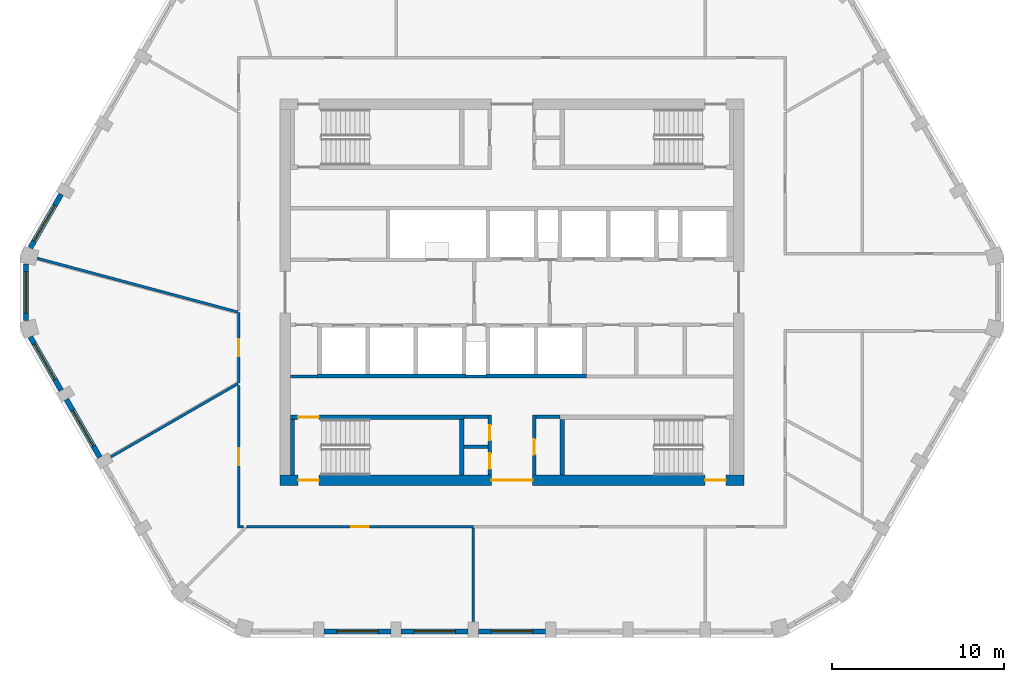
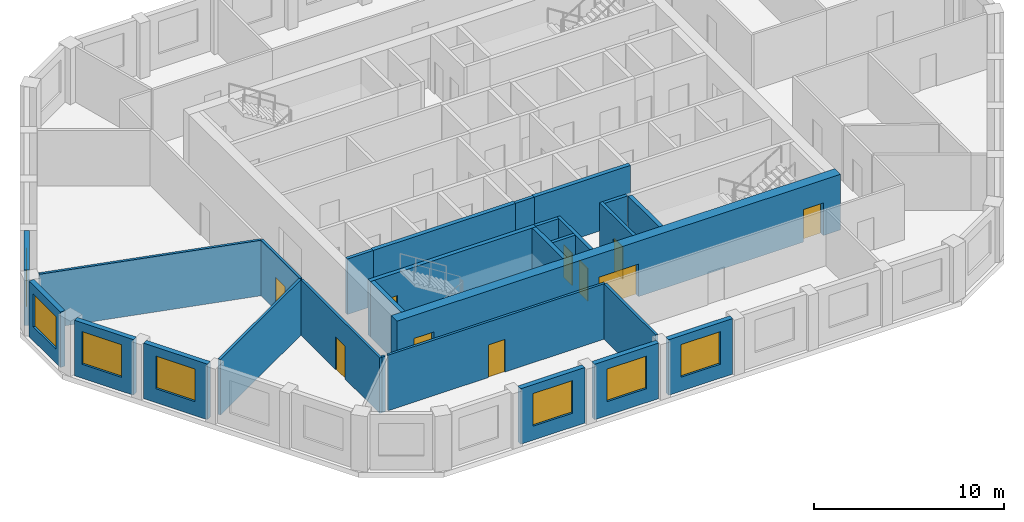
# One storey, part 2 of 9: 28 walls, 10 doors, 7 windows, 17 openings.
"""IFC4 building model written with IfcOpenShell, lengths in metres."""

from ifc_helpers import new_model, si_unit, direction, frame, frame_2d, origin, place, context, subcontext, project, spatial, polyline, rectangle, outline, extrude, material, layer, layer_set, type_object, element, fill, save


model = new_model("IFC4")

# Units and contexts
model_context = context("Model", 3, precision=1e-05, world=origin(), true_north=direction((0.0, 1.0)))
body_context = subcontext(model_context, "Body", "Model", "MODEL_VIEW")
ifc_project = project(units=[si_unit("LENGTHUNIT", "METRE"), si_unit("AREAUNIT", "SQUARE_METRE"), si_unit("VOLUMEUNIT", "CUBIC_METRE"), si_unit("PLANEANGLEUNIT", "RADIAN"), si_unit("MASSUNIT", "GRAM", prefix="KILO")], contexts=[model_context])

# Site, building, storey
site_placement = place(None, origin())
site = spatial("IfcSite", under=ifc_project, at=site_placement, CompositionType="ELEMENT")
building_placement = place(site_placement, origin())
building = spatial("IfcBuilding", under=site, at=building_placement, Name="Dhurran Vertical Campus", CompositionType="ELEMENT")
storey_placement = place(building_placement, frame((0.0, 0.0, 294.300048828125)))
storey = spatial("IfcBuildingStorey", under=building, at=storey_placement, Name="L73", CompositionType="ELEMENT", Elevation=294.300048828125)

# Wall, opening, window
ifc_material_1 = material(Name="Precast concrete C50/60", Category="concrete")
ifc_layer_1 = layer(ifc_material_1, 0.300048828125)
ifc_layer_set_1 = layer_set([ifc_layer_1], Name="Precast concrete C50/60")
wall_type_1 = type_object("IfcWallType", Name="Precast spandrel wall 300", PredefinedType="SOLIDWALL", material=ifc_layer_set_1)
wall_1_placement = place(storey_placement, frame((-10.949462890625, -19.738525390625, 0.0), z_axis=(0.0, 0.0, 1.0), x_axis=(1.0, 0.0, 0.0)))
wall_1 = element("IfcWall", 1, at=wall_1_placement, inside=storey, type_object=wall_type_1, Name="EW1 L73.01", PredefinedType="SOLIDWALL", context=body_context, shape_type="SweptSolid", body=[
    extrude(rectangle(XDim=3.89892578125, YDim=0.300048828125, at=frame_2d((1.949462890625, 0.0))), origin(), (0.0, 0.0, 1.0), 3.574951171875),
])
opening_1_placement = place(wall_1_placement, frame((0.74951171875, 0.0, 0.89990234375)))
opening_1 = element("IfcOpeningElement", 2, at=opening_1_placement, cuts=wall_1, Name="Opening WT1", PredefinedType="OPENING", context=body_context, shape_type="SweptSolid", body=[
    extrude(rectangle(XDim=2.39990234375, YDim=2.10009765625, at=frame_2d((1.199951171875, 1.050048828125))), frame((0.0, 0.159912109375, 0.0), z_axis=(0.0, -1.0, 0.0), x_axis=(1.0, 0.0, 0.0)), (0.0, 0.0, 1.0), 0.320068359375),
])
ifc_material_2 = material(Name="Aluminium frame with solar-control glass", Category="aluminium")
window_type = type_object("IfcWindowType", Name="Punched window 2400 x 2100", PartitioningType="SINGLE_PANEL", PredefinedType="WINDOW", material=ifc_material_2)
window_1_placement = place(opening_1_placement, origin())
window_1 = element("IfcWindow", 3, at=window_1_placement, inside=storey, type_object=window_type, Name="WT1 L73.01", OverallHeight=2.10009765625, OverallWidth=2.39990234375, PartitioningType="SINGLE_PANEL", PredefinedType="WINDOW", context=body_context, shape_type="SweptSolid", body=[
    extrude(rectangle(XDim=2.39990234375, YDim=2.10009765625, at=frame_2d((1.199951171875, 1.050048828125))), frame((0.0, 0.030029296875, 0.0), z_axis=(0.0, -1.0, 0.0), x_axis=(1.0, 0.0, 0.0)), (0.0, 0.0, 1.0), 0.06005859375),
])
fill(opening_1, window_1)

wall_2_placement = place(storey_placement, frame((-6.449462890625, -19.738525390625, 0.0), z_axis=(0.0, 0.0, 1.0), x_axis=(1.0, 0.0, 0.0)))
wall_2 = element("IfcWall", 4, at=wall_2_placement, inside=storey, type_object=wall_type_1, Name="EW1 L73.02", PredefinedType="SOLIDWALL", context=body_context, shape_type="SweptSolid", body=[
    extrude(rectangle(XDim=3.89892578125, YDim=0.300048828125, at=frame_2d((1.949462890625, 0.0))), origin(), (0.0, 0.0, 1.0), 3.574951171875),
])
opening_2_placement = place(wall_2_placement, frame((0.74951171875, 0.0, 0.89990234375)))
opening_2 = element("IfcOpeningElement", 5, at=opening_2_placement, cuts=wall_2, Name="Opening WT1", PredefinedType="OPENING", context=body_context, shape_type="SweptSolid", body=[
    extrude(rectangle(XDim=2.39990234375, YDim=2.10009765625, at=frame_2d((1.199951171875, 1.050048828125))), frame((0.0, 0.159912109375, 0.0), z_axis=(0.0, -1.0, 0.0), x_axis=(1.0, 0.0, 0.0)), (0.0, 0.0, 1.0), 0.320068359375),
])
window_2_placement = place(opening_2_placement, origin())
window_2 = element("IfcWindow", 6, at=window_2_placement, inside=storey, type_object=window_type, Name="WT1 L73.02", OverallHeight=2.10009765625, OverallWidth=2.39990234375, PartitioningType="SINGLE_PANEL", PredefinedType="WINDOW", context=body_context, shape_type="SweptSolid", body=[
    extrude(rectangle(XDim=2.39990234375, YDim=2.10009765625, at=frame_2d((1.199951171875, 1.050048828125))), frame((0.0, 0.030029296875, 0.0), z_axis=(0.0, -1.0, 0.0), x_axis=(1.0, 0.0, 0.0)), (0.0, 0.0, 1.0), 0.06005859375),
])
fill(opening_2, window_2)

wall_3_placement = place(storey_placement, frame((-1.949462890625, -19.738525390625, 0.0), z_axis=(0.0, 0.0, 1.0), x_axis=(1.0, 0.0, 0.0)))
wall_3 = element("IfcWall", 7, at=wall_3_placement, inside=storey, type_object=wall_type_1, Name="EW1 L73.03", PredefinedType="SOLIDWALL", context=body_context, shape_type="SweptSolid", body=[
    extrude(rectangle(XDim=3.89892578125, YDim=0.300048828125, at=frame_2d((1.949462890625, 0.0))), origin(), (0.0, 0.0, 1.0), 3.574951171875),
])
opening_3_placement = place(wall_3_placement, frame((0.74951171875, 0.0, 0.89990234375)))
opening_3 = element("IfcOpeningElement", 8, at=opening_3_placement, cuts=wall_3, Name="Opening WT1", PredefinedType="OPENING", context=body_context, shape_type="SweptSolid", body=[
    extrude(rectangle(XDim=2.39990234375, YDim=2.10009765625, at=frame_2d((1.199951171875, 1.050048828125))), frame((0.0, 0.159912109375, 0.0), z_axis=(0.0, -1.0, 0.0), x_axis=(1.0, 0.0, 0.0)), (0.0, 0.0, 1.0), 0.320068359375),
])
window_3_placement = place(opening_3_placement, origin())
window_3 = element("IfcWindow", 9, at=window_3_placement, inside=storey, type_object=window_type, Name="WT1 L73.03", OverallHeight=2.10009765625, OverallWidth=2.39990234375, PartitioningType="SINGLE_PANEL", PredefinedType="WINDOW", context=body_context, shape_type="SweptSolid", body=[
    extrude(rectangle(XDim=2.39990234375, YDim=2.10009765625, at=frame_2d((1.199951171875, 1.050048828125))), frame((0.0, 0.030029296875, 0.0), z_axis=(0.0, -1.0, 0.0), x_axis=(1.0, 0.0, 0.0)), (0.0, 0.0, 1.0), 0.06005859375),
])
fill(opening_3, window_3)

wall_4_placement = place(storey_placement, frame((-26.244384765625, 5.7119140625, 0.0), z_axis=(0.0, 0.0, 1.0), x_axis=(-0.499969057507, -0.866043267704, 0.0)))
wall_4 = element("IfcWall", 10, at=wall_4_placement, inside=storey, type_object=wall_type_1, Name="EW1 L73.29", PredefinedType="SOLIDWALL", context=body_context, shape_type="SweptSolid", body=[
    extrude(rectangle(XDim=3.599365234375, YDim=0.300048828125, at=frame_2d((1.7998046875, 0.0))), origin(), (0.0, 0.0, 1.0), 3.574951171875),
])
opening_4_placement = place(wall_4_placement, frame((0.74951171875, 0.0, 0.89990234375)))
opening_4 = element("IfcOpeningElement", 11, at=opening_4_placement, cuts=wall_4, Name="Opening WT1", PredefinedType="OPENING", context=body_context, shape_type="SweptSolid", body=[
    extrude(rectangle(XDim=2.39990234375, YDim=2.10009765625, at=frame_2d((1.199951171875, 1.050048828125))), frame((0.0, 0.159912109375, 0.0), z_axis=(0.0, -1.0, 0.0), x_axis=(1.0, 0.0, 0.0)), (0.0, 0.0, 1.0), 0.320068359375),
])
window_4_placement = place(opening_4_placement, origin())
window_4 = element("IfcWindow", 12, at=window_4_placement, inside=storey, type_object=window_type, Name="WT1 L73.29", OverallHeight=2.10009765625, OverallWidth=2.39990234375, PartitioningType="SINGLE_PANEL", PredefinedType="WINDOW", context=body_context, shape_type="SweptSolid", body=[
    extrude(rectangle(XDim=2.39990234375, YDim=2.10009765625, at=frame_2d((1.199951171875, 1.050048828125))), frame((0.0, 0.030029296875, 0.0), z_axis=(0.0, -1.0, 0.0), x_axis=(1.0, 0.0, 0.0)), (0.0, 0.0, 1.0), 0.06005859375),
])
fill(opening_4, window_4)

wall_5_placement = place(storey_placement, frame((-28.297119140625, 1.64990234375, 0.0), z_axis=(0.0, 0.0, 1.0), x_axis=(0.0, -1.0, 0.0)))
wall_5 = element("IfcWall", 13, at=wall_5_placement, inside=storey, type_object=wall_type_1, Name="EW1 L73.30", PredefinedType="SOLIDWALL", context=body_context, shape_type="SweptSolid", body=[
    extrude(rectangle(XDim=3.2998046875, YDim=0.300048828125, at=frame_2d((1.64990234375, 0.0))), origin(), (0.0, 0.0, 1.0), 3.574951171875),
])
opening_5_placement = place(wall_5_placement, frame((0.449951171875, 0.0, 0.89990234375)))
opening_5 = element("IfcOpeningElement", 14, at=opening_5_placement, cuts=wall_5, Name="Opening WT1", PredefinedType="OPENING", context=body_context, shape_type="SweptSolid", body=[
    extrude(rectangle(XDim=2.39990234375, YDim=2.10009765625, at=frame_2d((1.199951171875, 1.050048828125))), frame((0.0, 0.159912109375, 0.0), z_axis=(0.0, -1.0, 0.0), x_axis=(1.0, 0.0, 0.0)), (0.0, 0.0, 1.0), 0.320068359375),
])
window_5_placement = place(opening_5_placement, origin())
window_5 = element("IfcWindow", 15, at=window_5_placement, inside=storey, type_object=window_type, Name="WT1 L73.30", OverallHeight=2.10009765625, OverallWidth=2.39990234375, PartitioningType="SINGLE_PANEL", PredefinedType="WINDOW", context=body_context, shape_type="SweptSolid", body=[
    extrude(rectangle(XDim=2.39990234375, YDim=2.10009765625, at=frame_2d((1.199951171875, 1.050048828125))), frame((0.0, 0.030029296875, 0.0), z_axis=(0.0, -1.0, 0.0), x_axis=(1.0, 0.0, 0.0)), (0.0, 0.0, 1.0), 0.06005859375),
])
fill(opening_5, window_5)

wall_6_placement = place(storey_placement, frame((-28.0439453125, -2.5947265625, 0.0), z_axis=(0.0, 0.0, 1.0), x_axis=(0.499969057507, -0.866043267704, 0.0)))
wall_6 = element("IfcWall", 16, at=wall_6_placement, inside=storey, type_object=wall_type_1, Name="EW1 L73.31", PredefinedType="SOLIDWALL", context=body_context, shape_type="SweptSolid", body=[
    extrude(rectangle(XDim=3.599365234375, YDim=0.300048828125, at=frame_2d((1.7998046875, 0.0))), origin(), (0.0, 0.0, 1.0), 3.574951171875),
])
opening_6_placement = place(wall_6_placement, frame((0.449951171875, 0.0, 0.89990234375)))
opening_6 = element("IfcOpeningElement", 17, at=opening_6_placement, cuts=wall_6, Name="Opening WT1", PredefinedType="OPENING", context=body_context, shape_type="SweptSolid", body=[
    extrude(rectangle(XDim=2.39990234375, YDim=2.10009765625, at=frame_2d((1.199951171875, 1.050048828125))), frame((0.0, 0.159912109375, 0.0), z_axis=(0.0, -1.0, 0.0), x_axis=(1.0, 0.0, 0.0)), (0.0, 0.0, 1.0), 0.320068359375),
])
window_6_placement = place(opening_6_placement, origin())
window_6 = element("IfcWindow", 18, at=window_6_placement, inside=storey, type_object=window_type, Name="WT1 L73.31", OverallHeight=2.10009765625, OverallWidth=2.39990234375, PartitioningType="SINGLE_PANEL", PredefinedType="WINDOW", context=body_context, shape_type="SweptSolid", body=[
    extrude(rectangle(XDim=2.39990234375, YDim=2.10009765625, at=frame_2d((1.199951171875, 1.050048828125))), frame((0.0, 0.030029296875, 0.0), z_axis=(0.0, -1.0, 0.0), x_axis=(1.0, 0.0, 0.0)), (0.0, 0.0, 1.0), 0.06005859375),
])
fill(opening_6, window_6)

wall_7_placement = place(storey_placement, frame((-25.94384765625, -6.232421875, 0.0), z_axis=(0.0, 0.0, 1.0), x_axis=(0.500011542666, -0.866018739521, 0.0)))
wall_7 = element("IfcWall", 19, at=wall_7_placement, inside=storey, type_object=wall_type_1, Name="EW1 L73.32", PredefinedType="SOLIDWALL", context=body_context, shape_type="SweptSolid", body=[
    extrude(rectangle(XDim=3.89892578125, YDim=0.300048828125, at=frame_2d((1.949462890625, 0.0))), origin(), (0.0, 0.0, 1.0), 3.574951171875),
])
opening_7_placement = place(wall_7_placement, frame((0.74951171875, 0.0, 0.89990234375)))
opening_7 = element("IfcOpeningElement", 20, at=opening_7_placement, cuts=wall_7, Name="Opening WT1", PredefinedType="OPENING", context=body_context, shape_type="SweptSolid", body=[
    extrude(rectangle(XDim=2.39990234375, YDim=2.10009765625, at=frame_2d((1.199951171875, 1.050048828125))), frame((0.0, 0.159912109375, 0.0), z_axis=(0.0, -1.0, 0.0), x_axis=(1.0, 0.0, 0.0)), (0.0, 0.0, 1.0), 0.320068359375),
])
window_7_placement = place(opening_7_placement, origin())
window_7 = element("IfcWindow", 21, at=window_7_placement, inside=storey, type_object=window_type, Name="WT1 L73.32", OverallHeight=2.10009765625, OverallWidth=2.39990234375, PartitioningType="SINGLE_PANEL", PredefinedType="WINDOW", context=body_context, shape_type="SweptSolid", body=[
    extrude(rectangle(XDim=2.39990234375, YDim=2.10009765625, at=frame_2d((1.199951171875, 1.050048828125))), frame((0.0, 0.030029296875, 0.0), z_axis=(0.0, -1.0, 0.0), x_axis=(1.0, 0.0, 0.0)), (0.0, 0.0, 1.0), 0.06005859375),
])
fill(opening_7, window_7)

# Wall, openings, doors
ifc_material_3 = material(Name="Concrete C50/60", Category="concrete")
ifc_layer_2 = layer(ifc_material_3, 0.60009765625)
ifc_layer_set_2 = layer_set([ifc_layer_2], Name="Concrete C50/60")
wall_type_2 = type_object("IfcWallType", Name="co-CORE-WALL-C2-600", PredefinedType="SHEAR", material=ifc_layer_set_2)
wall_8_placement = place(storey_placement, frame((-13.5, -10.949951171875, 0.0), z_axis=(0.0, 0.0, 1.0), x_axis=(1.0, 0.0, 0.0)))
wall_8 = element("IfcWall", 22, at=wall_8_placement, inside=storey, type_object=wall_type_2, Name="Core wall S L73", PredefinedType="SHEAR", context=body_context, shape_type="SweptSolid", body=[
    extrude(rectangle(XDim=27.0, YDim=0.60009765625, at=frame_2d((13.5, 0.0))), origin(), (0.0, 0.0, 1.0), 3.574951171875),
])
opening_8_placement = place(wall_8_placement, frame((12.300048828125, 0.0, 0.0)))
opening_8 = element("IfcOpeningElement", 23, at=opening_8_placement, cuts=wall_8, Name="Opening CV2", PredefinedType="OPENING", context=body_context, shape_type="SweptSolid", body=[
    extrude(rectangle(XDim=2.39990234375, YDim=2.10009765625, at=frame_2d((1.199951171875, 1.050048828125))), frame((0.0, 0.31005859375, 0.0), z_axis=(0.0, -1.0, 0.0), x_axis=(1.0, 0.0, 0.0)), (0.0, 0.0, 1.0), 0.6201171875),
])
opening_9_placement = place(wall_8_placement, frame((1.050048828125, 0.0, 0.0)))
opening_9 = element("IfcOpeningElement", 24, at=opening_9_placement, cuts=wall_8, Name="Opening XD3", PredefinedType="OPENING", context=body_context, shape_type="SweptSolid", body=[
    extrude(rectangle(XDim=1.199951171875, YDim=2.10009765625, at=frame_2d((0.60009765625, 1.050048828125))), frame((0.0, 0.31005859375, 0.0), z_axis=(0.0, -1.0, 0.0), x_axis=(1.0, 0.0, 0.0)), (0.0, 0.0, 1.0), 0.6201171875),
])
opening_10_placement = place(wall_8_placement, frame((24.75, 0.0, 0.0)))
opening_10 = element("IfcOpeningElement", 25, at=opening_10_placement, cuts=wall_8, Name="Opening XD4", PredefinedType="OPENING", context=body_context, shape_type="SweptSolid", body=[
    extrude(rectangle(XDim=1.199951171875, YDim=2.10009765625, at=frame_2d((0.60009765625, 1.050048828125))), frame((0.0, 0.31005859375, 0.0), z_axis=(0.0, -1.0, 0.0), x_axis=(1.0, 0.0, 0.0)), (0.0, 0.0, 1.0), 0.6201171875),
])
ifc_material_4 = material(Name="Fire-rated glazed door set")
door_type_1 = type_object("IfcDoorType", Name="co-D-LOBBY 2400x2100", OperationType="DOUBLE_DOOR_DOUBLE_SWING", PredefinedType="DOOR", material=ifc_material_4)
door_1_placement = place(opening_8_placement, origin())
door_1 = element("IfcDoor", 26, at=door_1_placement, inside=storey, type_object=door_type_1, Name="Core vestibule door S L73", OperationType="DOUBLE_DOOR_DOUBLE_SWING", OverallHeight=2.10009765625, OverallWidth=2.39990234375, PredefinedType="DOOR", context=body_context, shape_type="SweptSolid", body=[
    extrude(rectangle(XDim=2.39990234375, YDim=2.10009765625, at=frame_2d((1.199951171875, 1.050048828125))), frame((0.0, 0.02490234375, 0.0), z_axis=(0.0, -1.0, 0.0), x_axis=(1.0, 0.0, 0.0)), (0.0, 0.0, 1.0), 0.050048828125),
])
fill(opening_8, door_1)
ifc_material_5 = material(Name="Fire-rated steel door set", Category="steel")
door_type_2 = type_object("IfcDoorType", Name="co-D-STAIR-EXIT 1200x2100", OperationType="SINGLE_SWING_RIGHT", PredefinedType="DOOR", material=ifc_material_5)
door_2_placement = place(opening_9_placement, origin())
door_2 = element("IfcDoor", 27, at=door_2_placement, inside=storey, type_object=door_type_2, Name="Stair ST3 exit door L73", OperationType="SINGLE_SWING_RIGHT", OverallHeight=2.10009765625, OverallWidth=1.199951171875, PredefinedType="DOOR", context=body_context, shape_type="SweptSolid", body=[
    extrude(rectangle(XDim=1.199951171875, YDim=2.10009765625, at=frame_2d((0.60009765625, 1.050048828125))), frame((0.0, 0.02490234375, 0.0), z_axis=(0.0, -1.0, 0.0), x_axis=(1.0, 0.0, 0.0)), (0.0, 0.0, 1.0), 0.050048828125),
])
fill(opening_9, door_2)
door_3_placement = place(opening_10_placement, origin())
door_3 = element("IfcDoor", 28, at=door_3_placement, inside=storey, type_object=door_type_2, Name="Stair ST4 exit door L73", OperationType="SINGLE_SWING_RIGHT", OverallHeight=2.10009765625, OverallWidth=1.199951171875, PredefinedType="DOOR", context=body_context, shape_type="SweptSolid", body=[
    extrude(rectangle(XDim=1.199951171875, YDim=2.10009765625, at=frame_2d((0.60009765625, 1.050048828125))), frame((0.0, 0.02490234375, 0.0), z_axis=(0.0, -1.0, 0.0), x_axis=(1.0, 0.0, 0.0)), (0.0, 0.0, 1.0), 0.050048828125),
])
fill(opening_10, door_3)

# Walls
ifc_material_6 = material(Name="Fire-rated masonry blockwork", Category="masonry")
ifc_layer_3 = layer(ifc_material_6, 0.199951171875)
ifc_layer_set_3 = layer_set([ifc_layer_3], Name="Fire-rated masonry blockwork")
wall_type_3 = type_object("IfcWallType", Name="co-FIRE-PARTITION-200", PredefinedType="PARTITIONING", material=ifc_layer_set_3)
for number, where, z_axis, x_axis, name in (
    (29, (-2.800048828125, -7.25, 0.0), (0.0, 0.0, 1.0), (1.0, 0.0, 0.0), "Core partition sl-SW-S L73"),
    (30, (-2.800048828125, -9.0, 0.0), (0.0, 0.0, 1.0), (1.0, 0.0, 0.0), "Core partition sl-SW-cut0 L73"),
    (31, (1.39990234375, -7.25, 0.0), (0.0, 0.0, 1.0), (1.0, 0.0, 0.0), "Core partition sl-SE-S L73"),
):
    element("IfcWall", number, at=place(storey_placement, frame(where, z_axis=z_axis, x_axis=x_axis)), inside=storey, type_object=wall_type_3, Name=name, PredefinedType="PARTITIONING", context=body_context, shape_type="SweptSolid", body=[
        extrude(rectangle(XDim=1.400146484375, YDim=0.199951171875, at=frame_2d((0.7001953125, 0.0))), origin(), (0.0, 0.0, 1.0), 3.574951171875),
    ])

# Wall, openings, doors
wall_9_placement = place(storey_placement, frame((-1.300048828125, -10.64990234375, 0.0), z_axis=(0.0, 0.0, 1.0), x_axis=(0.0, 1.0, 0.0)))
wall_9 = element("IfcWall", 32, at=wall_9_placement, inside=storey, type_object=wall_type_3, Name="Core partition vest-SW L73", PredefinedType="PARTITIONING", context=body_context, shape_type="SweptSolid", body=[
    extrude(rectangle(XDim=3.5, YDim=0.199951171875, at=frame_2d((1.75, 0.0))), origin(), (0.0, 0.0, 1.0), 3.574951171875),
])
opening_11_placement = place(wall_9_placement, frame((0.375, 0.0, 0.0)))
opening_11 = element("IfcOpeningElement", 33, at=opening_11_placement, cuts=wall_9, Name="Opening T21-C1", PredefinedType="OPENING", context=body_context, shape_type="SweptSolid", body=[
    extrude(rectangle(XDim=0.89990234375, YDim=2.10009765625, at=frame_2d((0.449951171875, 1.050048828125))), frame((0.0, 0.10986328125, 0.0), z_axis=(0.0, -1.0, 0.0), x_axis=(1.0, 0.0, 0.0)), (0.0, 0.0, 1.0), 0.219970703125),
])
opening_12_placement = place(wall_9_placement, frame((2.02490234375, 0.0, 0.0)))
opening_12 = element("IfcOpeningElement", 34, at=opening_12_placement, cuts=wall_9, Name="Opening T21-C2", PredefinedType="OPENING", context=body_context, shape_type="SweptSolid", body=[
    extrude(rectangle(XDim=0.89990234375, YDim=2.10009765625, at=frame_2d((0.449951171875, 1.050048828125))), frame((0.0, 0.10986328125, 0.0), z_axis=(0.0, -1.0, 0.0), x_axis=(1.0, 0.0, 0.0)), (0.0, 0.0, 1.0), 0.219970703125),
])
ifc_material_7 = material(Name="Fire-rated timber door set", Category="wood")
door_type_3 = type_object("IfcDoorType", Name="co-D-ROOM 900x2100", OperationType="SINGLE_SWING_LEFT", PredefinedType="DOOR", material=ifc_material_7)
door_4_placement = place(opening_11_placement, origin())
door_4 = element("IfcDoor", 35, at=door_4_placement, inside=storey, type_object=door_type_3, Name="Waste room door L73", OperationType="SINGLE_SWING_LEFT", OverallHeight=2.10009765625, OverallWidth=0.89990234375, PredefinedType="DOOR", context=body_context, shape_type="SweptSolid", body=[
    extrude(rectangle(XDim=0.89990234375, YDim=2.10009765625, at=frame_2d((0.449951171875, 1.050048828125))), frame((0.0, 0.02490234375, 0.0), z_axis=(0.0, -1.0, 0.0), x_axis=(1.0, 0.0, 0.0)), (0.0, 0.0, 1.0), 0.050048828125),
])
fill(opening_11, door_4)
door_5_placement = place(opening_12_placement, origin())
door_5 = element("IfcDoor", 36, at=door_5_placement, inside=storey, type_object=door_type_3, Name="Pantry door L73", OperationType="SINGLE_SWING_LEFT", OverallHeight=2.10009765625, OverallWidth=0.89990234375, PredefinedType="DOOR", context=body_context, shape_type="SweptSolid", body=[
    extrude(rectangle(XDim=0.89990234375, YDim=2.10009765625, at=frame_2d((0.449951171875, 1.050048828125))), frame((0.0, 0.02490234375, 0.0), z_axis=(0.0, -1.0, 0.0), x_axis=(1.0, 0.0, 0.0)), (0.0, 0.0, 1.0), 0.050048828125),
])
fill(opening_12, door_5)

# Wall, opening, door
wall_10_placement = place(storey_placement, frame((1.300048828125, -10.64990234375, 0.0), z_axis=(0.0, 0.0, 1.0), x_axis=(0.0, 1.0, 0.0)))
wall_10 = element("IfcWall", 37, at=wall_10_placement, inside=storey, type_object=wall_type_3, Name="Core partition vest-SE L73", PredefinedType="PARTITIONING", context=body_context, shape_type="SweptSolid", body=[
    extrude(rectangle(XDim=3.5, YDim=0.199951171875, at=frame_2d((1.75, 0.0))), origin(), (0.0, 0.0, 1.0), 3.574951171875),
])
opening_13_placement = place(wall_10_placement, frame((1.199951171875, 0.0, 0.0)))
opening_13 = element("IfcOpeningElement", 38, at=opening_13_placement, cuts=wall_10, Name="Opening T21-C3", PredefinedType="OPENING", context=body_context, shape_type="SweptSolid", body=[
    extrude(rectangle(XDim=0.89990234375, YDim=2.10009765625, at=frame_2d((0.449951171875, 1.050048828125))), frame((0.0, 0.10986328125, 0.0), z_axis=(0.0, -1.0, 0.0), x_axis=(1.0, 0.0, 0.0)), (0.0, 0.0, 1.0), 0.219970703125),
])
door_6_placement = place(opening_13_placement, origin())
door_6 = element("IfcDoor", 39, at=door_6_placement, inside=storey, type_object=door_type_3, Name="Cleaner's store door L73", OperationType="SINGLE_SWING_LEFT", OverallHeight=2.10009765625, OverallWidth=0.89990234375, PredefinedType="DOOR", context=body_context, shape_type="SweptSolid", body=[
    extrude(rectangle(XDim=0.89990234375, YDim=2.10009765625, at=frame_2d((0.449951171875, 1.050048828125))), frame((0.0, 0.02490234375, 0.0), z_axis=(0.0, -1.0, 0.0), x_axis=(1.0, 0.0, 0.0)), (0.0, 0.0, 1.0), 0.050048828125),
])
fill(opening_13, door_6)

# Walls
wall_11_placement = place(storey_placement, frame((-12.89990234375, -4.89990234375, 0.0), z_axis=(0.0, 0.0, 1.0), x_axis=(1.0, 0.0, 0.0)))
element("IfcWall", 40, at=wall_11_placement, inside=storey, type_object=wall_type_3, Name="Core partition fr-S0-b L73", PredefinedType="PARTITIONING", context=body_context, shape_type="SweptSolid", body=[
    extrude(rectangle(XDim=1.574951171875, YDim=0.199951171875, at=frame_2d((0.78759765625, 0.0))), origin(), (0.0, 0.0, 1.0), 3.574951171875),
])
wall_12_placement = place(storey_placement, frame((-2.675048828125, -4.89990234375, 0.0), z_axis=(0.0, 0.0, 1.0), x_axis=(1.0, 0.0, 0.0)))
element("IfcWall", 41, at=wall_12_placement, inside=storey, type_object=wall_type_3, Name="Core partition fr-S1-b L73", PredefinedType="PARTITIONING", context=body_context, shape_type="SweptSolid", body=[
    extrude(rectangle(XDim=1.150146484375, YDim=0.199951171875, at=frame_2d((0.5751953125, 0.0))), origin(), (0.0, 0.0, 1.0), 3.574951171875),
])
ifc_material_8 = material(Name="Concrete C50/60", Category="concrete")
ifc_layer_4 = layer(ifc_material_8, 0.25)
ifc_layer_set_4 = layer_set([ifc_layer_4], Name="Concrete C50/60")
wall_type_4 = type_object("IfcWallType", Name="co-SHAFT-MASS-250", PredefinedType="SHEAR", material=ifc_layer_set_4)
wall_13_placement = place(storey_placement, origin())
element("IfcWall", 42, at=wall_13_placement, inside=storey, type_object=wall_type_4, Name="Lift shaft wall S L73 1", PredefinedType="SHEAR", context=body_context, shape_type="SweptSolid", body=[
    extrude(outline(polyline([(-11.324951171875, -5.0), (-2.675048828125, -5.0), (-2.675048828125, -4.75), (-11.324951171875, -4.75), (-11.324951171875, -5.0)])), origin(), (0.0, 0.0, 1.0), 3.574951171875),
])
wall_14_placement = place(storey_placement, origin())
element("IfcWall", 43, at=wall_14_placement, inside=storey, type_object=wall_type_4, Name="Lift shaft wall S L73 2", PredefinedType="SHEAR", context=body_context, shape_type="SweptSolid", body=[
    extrude(outline(polyline([(-1.52490234375, -5.0), (4.324951171875, -5.0), (4.324951171875, -4.75), (-1.52490234375, -4.75), (-1.52490234375, -5.0)])), origin(), (0.0, 0.0, 1.0), 3.574951171875),
])

# Wall, opening, door
ifc_material_9 = material(Name="Concrete C40/50", Category="concrete")
ifc_layer_5 = layer(ifc_material_9, 0.25)
ifc_layer_set_5 = layer_set([ifc_layer_5], Name="Concrete C40/50")
wall_type_5 = type_object("IfcWallType", Name="co-STAIR-WALL-250", PredefinedType="SHEAR", material=ifc_layer_set_5)
wall_15_placement = place(storey_placement, frame((-12.89990234375, -7.27490234375, 0.0), z_axis=(0.0, 0.0, 1.0), x_axis=(1.0, 0.0, 0.0)))
wall_15 = element("IfcWall", 44, at=wall_15_placement, inside=storey, type_object=wall_type_5, Name="Stair ST3 enclosure wall L73", PredefinedType="SHEAR", context=body_context, shape_type="SweptSolid", body=[
    extrude(rectangle(XDim=10.099853515625, YDim=0.25, at=frame_2d((5.0498046875, 0.0))), origin(), (0.0, 0.0, 1.0), 3.574951171875),
])
opening_14_placement = place(wall_15_placement, frame((0.449951171875, 0.0, 0.0)))
opening_14 = element("IfcOpeningElement", 45, at=opening_14_placement, cuts=wall_15, Name="Opening SD3", PredefinedType="OPENING", context=body_context, shape_type="SweptSolid", body=[
    extrude(rectangle(XDim=1.199951171875, YDim=2.10009765625, at=frame_2d((0.60009765625, 1.050048828125))), frame((0.0, 0.135009765625, 0.0), z_axis=(0.0, -1.0, 0.0), x_axis=(1.0, 0.0, 0.0)), (0.0, 0.0, 1.0), 0.27001953125),
])
ifc_material_10 = material(Name="Fire-rated steel door set", Category="steel")
door_type_4 = type_object("IfcDoorType", Name="co-D-STAIR 1200x2100", OperationType="SINGLE_SWING_LEFT", PredefinedType="DOOR", material=ifc_material_10)
door_7_placement = place(opening_14_placement, origin())
door_7 = element("IfcDoor", 46, at=door_7_placement, inside=storey, type_object=door_type_4, Name="Stair ST3 door L73", OperationType="SINGLE_SWING_LEFT", OverallHeight=2.10009765625, OverallWidth=1.199951171875, PredefinedType="DOOR", context=body_context, shape_type="SweptSolid", body=[
    extrude(rectangle(XDim=1.199951171875, YDim=2.10009765625, at=frame_2d((0.60009765625, 1.050048828125))), frame((0.0, 0.02490234375, 0.0), z_axis=(0.0, -1.0, 0.0), x_axis=(1.0, 0.0, 0.0)), (0.0, 0.0, 1.0), 0.050048828125),
])
fill(opening_14, door_7)

# Walls
for number, where, z_axis, x_axis, name in (
    (47, (-12.77490234375, -10.64990234375, 0.0), (0.0, 0.0, 1.0), (0.0, 1.0, 0.0), "Stair ST3 enclosure wall L73"),
    (48, (-2.925048828125, -10.64990234375, 0.0), (0.0, 0.0, 1.0), (0.0, 1.0, 0.0), "Stair ST3 enclosure wall L73"),
    (49, (2.925048828125, -10.64990234375, 0.0), (0.0, 0.0, 1.0), (0.0, 1.0, 0.0), "Stair ST4 enclosure wall L73"),
):
    element("IfcWall", number, at=place(storey_placement, frame(where, z_axis=z_axis, x_axis=x_axis)), inside=storey, type_object=wall_type_5, Name=name, PredefinedType="SHEAR", context=body_context, shape_type="SweptSolid", body=[
        extrude(rectangle(XDim=3.25, YDim=0.25, at=frame_2d((1.625, 0.0))), origin(), (0.0, 0.0, 1.0), 3.574951171875),
    ])

# Wall, opening, door
ifc_material_11 = material(Name="Gypsum board corridor wall on steel studs", Category="steel")
ifc_layer_6 = layer(ifc_material_11, 0.14990234375)
ifc_layer_set_6 = layer_set([ifc_layer_6], Name="Gypsum board corridor wall on steel studs")
wall_type_6 = type_object("IfcWallType", Name="fl-CW-150 corridor wall", PredefinedType="PARTITIONING", material=ifc_layer_set_6)
wall_16_placement = place(storey_placement, frame((-15.89990234375, -5.4130859375, 0.0), z_axis=(0.0, 0.0, 1.0), x_axis=(0.0, -1.0, 0.0)))
wall_16 = element("IfcWall", 50, at=wall_16_placement, inside=storey, type_object=wall_type_6, Name="Partition 73-05", PredefinedType="PARTITIONING", context=body_context, shape_type="SweptSolid", body=[
    extrude(rectangle(XDim=8.31201171875, YDim=0.14990234375, at=frame_2d((4.156005859375, 0.0))), origin(), (0.0, 0.0, 1.0), 3.574951171875),
])
opening_15_placement = place(wall_16_placement, frame((3.656005859375, 0.0, 0.0)))
opening_15 = element("IfcOpeningElement", 51, at=opening_15_placement, cuts=wall_16, Name="Opening T21.03", PredefinedType="OPENING", context=body_context, shape_type="SweptSolid", body=[
    extrude(rectangle(XDim=1.0, YDim=2.10009765625, at=frame_2d((0.5, 1.050048828125))), frame((0.0, 0.0849609375, 0.0), z_axis=(0.0, -1.0, 0.0), x_axis=(1.0, 0.0, 0.0)), (0.0, 0.0, 1.0), 0.169921875),
])
ifc_material_12 = material(Name="Solid-core timber door set, fire-rated", Category="wood")
door_type_5 = type_object("IfcDoorType", Name="fl-D-1000x2100", OperationType="SINGLE_SWING_LEFT", PredefinedType="DOOR", material=ifc_material_12)
door_8_placement = place(opening_15_placement, origin())
door_8 = element("IfcDoor", 52, at=door_8_placement, inside=storey, type_object=door_type_5, Name="Door 73.03", OperationType="SINGLE_SWING_RIGHT", OverallHeight=2.10009765625, OverallWidth=1.0, PredefinedType="DOOR", context=body_context, shape_type="SweptSolid", body=[
    extrude(rectangle(XDim=1.0, YDim=2.10009765625, at=frame_2d((0.5, 1.050048828125))), frame((0.0, 0.02490234375, 0.0), z_axis=(0.0, -1.0, 0.0), x_axis=(1.0, 0.0, 0.0)), (0.0, 0.0, 1.0), 0.050048828125),
])
fill(opening_15, door_8)

# Wall
wall_17_placement = place(storey_placement, frame((-15.824951171875, -13.64990234375, 0.0), z_axis=(0.0, 0.0, 1.0), x_axis=(1.0, 0.0, 0.0)))
element("IfcWall", 53, at=wall_17_placement, inside=storey, type_object=wall_type_6, Name="Partition 73-06", PredefinedType="PARTITIONING", context=body_context, shape_type="SweptSolid", body=[
    extrude(rectangle(XDim=0.19091796875, YDim=0.14990234375, at=frame_2d((0.095458984375, 0.0))), origin(), (0.0, 0.0, 1.0), 3.574951171875),
])

# Wall, opening, door
wall_18_placement = place(storey_placement, frame((-15.89990234375, -1.166015625, 0.0), z_axis=(0.0, 0.0, 1.0), x_axis=(0.0, -1.0, 0.0)))
wall_18 = element("IfcWall", 54, at=wall_18_placement, inside=storey, type_object=wall_type_6, Name="Partition 73-07", PredefinedType="PARTITIONING", context=body_context, shape_type="SweptSolid", body=[
    extrude(rectangle(XDim=4.116943359375, YDim=0.14990234375, at=frame_2d((2.05859375, 0.0))), origin(), (0.0, 0.0, 1.0), 3.574951171875),
])
opening_16_placement = place(wall_18_placement, frame((1.55859375, 0.0, 0.0)))
opening_16 = element("IfcOpeningElement", 55, at=opening_16_placement, cuts=wall_18, Name="Opening T21.01", PredefinedType="OPENING", context=body_context, shape_type="SweptSolid", body=[
    extrude(rectangle(XDim=1.0, YDim=2.10009765625, at=frame_2d((0.5, 1.050048828125))), frame((0.0, 0.0849609375, 0.0), z_axis=(0.0, -1.0, 0.0), x_axis=(1.0, 0.0, 0.0)), (0.0, 0.0, 1.0), 0.169921875),
])
door_9_placement = place(opening_16_placement, origin())
door_9 = element("IfcDoor", 56, at=door_9_placement, inside=storey, type_object=door_type_5, Name="Door 73.01", OperationType="SINGLE_SWING_LEFT", OverallHeight=2.10009765625, OverallWidth=1.0, PredefinedType="DOOR", context=body_context, shape_type="SweptSolid", body=[
    extrude(rectangle(XDim=1.0, YDim=2.10009765625, at=frame_2d((0.5, 1.050048828125))), frame((0.0, 0.02490234375, 0.0), z_axis=(0.0, -1.0, 0.0), x_axis=(1.0, 0.0, 0.0)), (0.0, 0.0, 1.0), 0.050048828125),
])
fill(opening_16, door_9)

wall_19_placement = place(storey_placement, frame((-15.458984375, -13.64990234375, 0.0), z_axis=(0.0, 0.0, 1.0), x_axis=(1.0, 0.0, 0.0)))
wall_19 = element("IfcWall", 57, at=wall_19_placement, inside=storey, type_object=wall_type_6, Name="Partition 73-12", PredefinedType="PARTITIONING", context=body_context, shape_type="SweptSolid", body=[
    extrude(rectangle(XDim=13.208984375, YDim=0.14990234375, at=frame_2d((6.6044921875, 0.0))), origin(), (0.0, 0.0, 1.0), 3.574951171875),
])
opening_17_placement = place(wall_19_placement, frame((6.1044921875, 0.0, 0.0)))
opening_17 = element("IfcOpeningElement", 58, at=opening_17_placement, cuts=wall_19, Name="Opening T21.06", PredefinedType="OPENING", context=body_context, shape_type="SweptSolid", body=[
    extrude(rectangle(XDim=1.0, YDim=2.10009765625, at=frame_2d((0.5, 1.050048828125))), frame((0.0, 0.0849609375, 0.0), z_axis=(0.0, -1.0, 0.0), x_axis=(1.0, 0.0, 0.0)), (0.0, 0.0, 1.0), 0.169921875),
])
door_10_placement = place(opening_17_placement, origin())
door_10 = element("IfcDoor", 59, at=door_10_placement, inside=storey, type_object=door_type_5, Name="Door 73.06", OperationType="SINGLE_SWING_LEFT", OverallHeight=2.10009765625, OverallWidth=1.0, PredefinedType="DOOR", context=body_context, shape_type="SweptSolid", body=[
    extrude(rectangle(XDim=1.0, YDim=2.10009765625, at=frame_2d((0.5, 1.050048828125))), frame((0.0, 0.02490234375, 0.0), z_axis=(0.0, -1.0, 0.0), x_axis=(1.0, 0.0, 0.0)), (0.0, 0.0, 1.0), 0.050048828125),
])
fill(opening_17, door_10)

# Walls
ifc_material_13 = material(Name="Gypsum board partition on steel studs", Category="steel")
ifc_layer_7 = layer(ifc_material_13, 0.14990234375)
ifc_layer_set_7 = layer_set([ifc_layer_7], Name="Gypsum board partition on steel studs")
wall_type_7 = type_object("IfcWallType", Name="fl-PW-150 fixed partition", PredefinedType="PARTITIONING", material=ifc_layer_set_7)
wall_20_placement = place(storey_placement, frame((-27.641845703125, 1.98095703125, 0.0), z_axis=(0.0, 0.0, 1.0), x_axis=(0.965912869078, -0.258867397232, 0.0)))
element("IfcWall", 60, at=wall_20_placement, inside=storey, type_object=wall_type_7, Name="Partition 73-01", PredefinedType="PARTITIONING", context=body_context, shape_type="SweptSolid", body=[
    extrude(rectangle(XDim=12.081298828125, YDim=0.14990234375, at=frame_2d((6.04052734375, 0.0))), origin(), (0.0, 0.0, 1.0), 3.574951171875),
])
wall_21_placement = place(storey_placement, frame((-15.965087890625, -5.320556640625, 0.0), z_axis=(0.0, 0.0, 1.0), x_axis=(-0.866035886898, -0.499981842274, 0.0)))
element("IfcWall", 61, at=wall_21_placement, inside=storey, type_object=wall_type_7, Name="Partition 73-02", PredefinedType="PARTITIONING", context=body_context, shape_type="SweptSolid", body=[
    extrude(rectangle(XDim=8.527587890625, YDim=0.14990234375, at=frame_2d((4.263671875, 0.0))), origin(), (0.0, 0.0, 1.0), 3.574951171875),
])
wall_22_placement = place(storey_placement, frame((-2.25, -13.72509765625, 0.0), z_axis=(0.0, 0.0, 1.0), x_axis=(0.0, -1.0, 0.0)))
element("IfcWall", 62, at=wall_22_placement, inside=storey, type_object=wall_type_7, Name="Partition 73-16", PredefinedType="PARTITIONING", context=body_context, shape_type="SweptSolid", body=[
    extrude(rectangle(XDim=5.443359375, YDim=0.14990234375, at=frame_2d((2.7216796875, 0.0))), origin(), (0.0, 0.0, 1.0), 3.574951171875),
])

save(model, "model.ifc")
